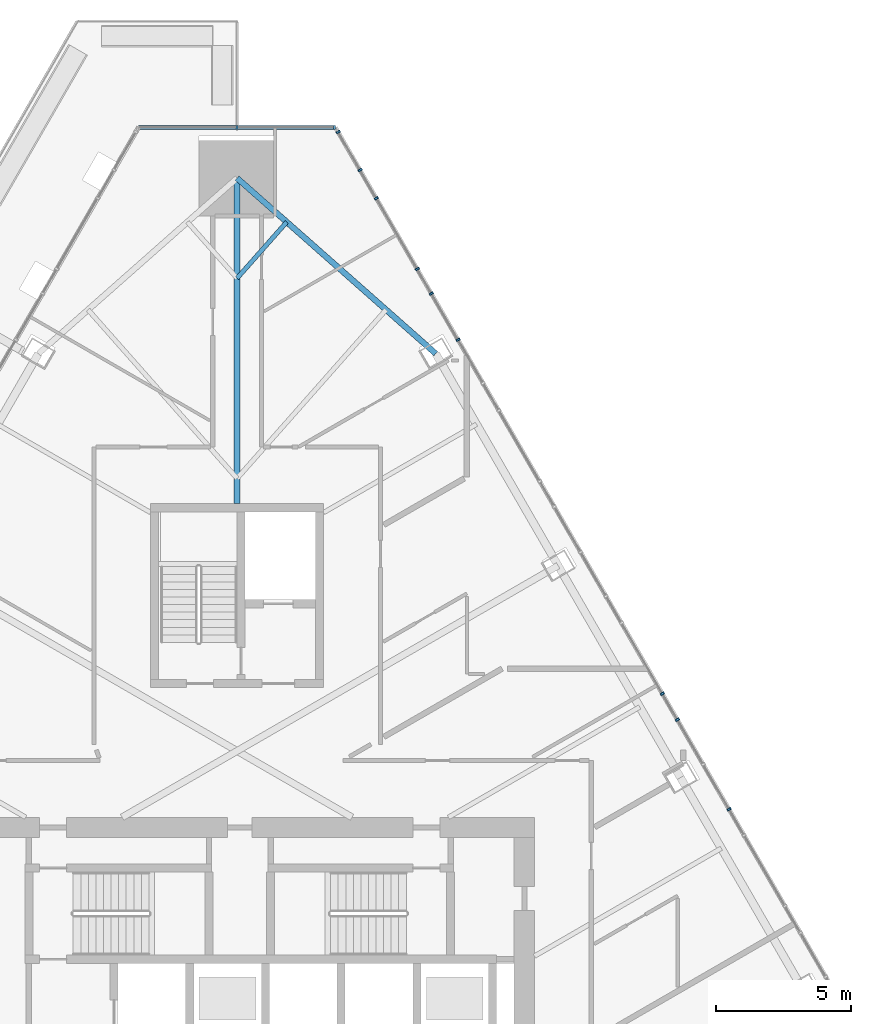
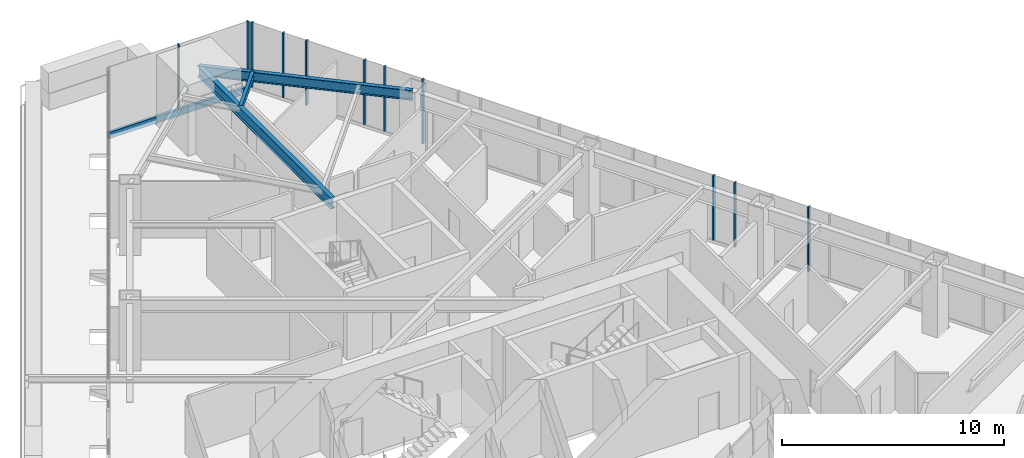
# One storey, part 13 of 35: 12 members, 3 beams, 2 elements without a shape of their own.
"""IFC4 building model written with IfcOpenShell, lengths in metres."""

from ifc_helpers import new_model, si_unit, direction, frame, origin, origin_2d, place, context, subcontext, project, spatial, rectangle, i_section, extrude, material, layer, layer_set, material_profile, profile_set, type_object, element, aggregate, save


model = new_model("IFC4")

# Units and contexts
model_context = context("Model", 3, precision=1e-05, world=origin(), true_north=direction((0.0, 1.0)))
body_context = subcontext(model_context, "Body", "Model", "MODEL_VIEW")
ifc_project = project(units=[si_unit("LENGTHUNIT", "METRE"), si_unit("AREAUNIT", "SQUARE_METRE"), si_unit("VOLUMEUNIT", "CUBIC_METRE"), si_unit("PLANEANGLEUNIT", "RADIAN"), si_unit("MASSUNIT", "GRAM", prefix="KILO")], contexts=[model_context])

# Site, building, storey
site_placement = place(None, origin())
site = spatial("IfcSite", under=ifc_project, at=site_placement, CompositionType="ELEMENT")
building_placement = place(site_placement, origin())
building = spatial("IfcBuilding", under=site, at=building_placement, Name="Firuza Gate Tower and Library", CompositionType="ELEMENT")
storey_placement = place(building_placement, frame((0.0, 0.0, 159.699951171875)))
storey = spatial("IfcBuildingStorey", under=building, at=storey_placement, Name="L36", CompositionType="ELEMENT", Elevation=159.699951171875)

# Curtain wall, members
ifc_material_1 = material(Name="Aluminium 6063-T6", Category="aluminium")
ifc_layer_1 = layer(ifc_material_1, 0.14990234375)
ifc_layer_set_1 = layer_set([ifc_layer_1], Name="Unitised curtain wall, hotel")
curtain_wall_type_1 = type_object("IfcCurtainWallType", Name="Unitised curtain wall, hotel", PredefinedType="NOTDEFINED", material=ifc_layer_set_1)
placement = place(storey_placement, origin())
curtain_wall_1 = element("IfcCurtainWall", 1, at=placement, inside=storey, type_object=curtain_wall_type_1, Name="CW2 L36 E face", PredefinedType="NOTDEFINED")
ifc_material_2 = material(Name="Aluminium 6063-T6", Category="aluminium")
ifc_material_profile_1 = material_profile(ifc_material_2, rectangle(XDim=0.14990234375, YDim=0.080078125, at=origin_2d()))
ifc_profile_set_1 = profile_set([ifc_material_profile_1], Name="Aluminium 6063-T6")
member_type_1 = type_object("IfcMemberType", Name="Curtain wall mullion 80x150", PredefinedType="MULLION", material=ifc_profile_set_1)
member_1_placement = place(storey_placement, frame((90.734619140625, 87.57470703125, 0.150146484375), z_axis=(0.0, 0.0, 1.0), x_axis=(-0.866025403784, -0.5, 0.0)))
member_1 = element("IfcMember", 2, at=member_1_placement, type_object=member_type_1, Name="Mullion", PredefinedType="MULLION", context=body_context, shape_type="SweptSolid", body=[
    extrude(rectangle(XDim=0.14990234375, YDim=0.080078125, at=origin_2d()), origin(), (0.0, 0.0, 1.0), 3.5498046875),
])
member_2_placement = place(storey_placement, frame((83.177490234375, 100.663818359375, 0.150146484375), z_axis=(0.0, 0.0, 1.0), x_axis=(-0.866025403784, -0.5, 0.0)))
member_2 = element("IfcMember", 3, at=member_2_placement, type_object=member_type_1, Name="Mullion", PredefinedType="MULLION", context=body_context, shape_type="SweptSolid", body=[
    extrude(rectangle(XDim=0.14990234375, YDim=0.080078125, at=origin_2d()), origin(), (0.0, 0.0, 1.0), 3.5498046875),
])
member_3_placement = place(storey_placement, frame((81.666015625, 103.28173828125, 0.150146484375), z_axis=(0.0, 0.0, 1.0), x_axis=(-0.866025403784, -0.5, 0.0)))
member_3 = element("IfcMember", 4, at=member_3_placement, type_object=member_type_1, Name="Mullion", PredefinedType="MULLION", context=body_context, shape_type="SweptSolid", body=[
    extrude(rectangle(XDim=0.14990234375, YDim=0.080078125, at=origin_2d()), origin(), (0.0, 0.0, 1.0), 3.5498046875),
])
member_4_placement = place(storey_placement, frame((80.15478515625, 105.8994140625, 0.150146484375), z_axis=(0.0, 0.0, 1.0), x_axis=(-0.866025403784, -0.5, 0.0)))
member_4 = element("IfcMember", 5, at=member_4_placement, type_object=member_type_1, Name="Mullion", PredefinedType="MULLION", context=body_context, shape_type="SweptSolid", body=[
    extrude(rectangle(XDim=0.14990234375, YDim=0.080078125, at=origin_2d()), origin(), (0.0, 0.0, 1.0), 3.5498046875),
])
member_5_placement = place(storey_placement, frame((93.2021484375, 83.30078125, 0.150146484375), z_axis=(0.0, 0.0, 1.0), x_axis=(-0.866025403784, -0.5, 0.0)))
member_5 = element("IfcMember", 6, at=member_5_placement, type_object=member_type_1, Name="Mullion", PredefinedType="MULLION", context=body_context, shape_type="SweptSolid", body=[
    extrude(rectangle(XDim=0.14990234375, YDim=0.080078125, at=origin_2d()), origin(), (0.0, 0.0, 1.0), 3.5498046875),
])
member_6_placement = place(storey_placement, frame((91.289794921875, 86.613037109375, 0.150146484375), z_axis=(0.0, 0.0, 1.0), x_axis=(-0.866025403784, -0.5, 0.0)))
member_6 = element("IfcMember", 7, at=member_6_placement, type_object=member_type_1, Name="Mullion", PredefinedType="MULLION", context=body_context, shape_type="SweptSolid", body=[
    extrude(rectangle(XDim=0.14990234375, YDim=0.080078125, at=origin_2d()), origin(), (0.0, 0.0, 1.0), 3.5498046875),
])
member_7_placement = place(storey_placement, frame((82.189697265625, 102.374755859375, 0.150146484375), z_axis=(0.0, 0.0, 1.0), x_axis=(-0.866025403784, -0.5, 0.0)))
member_7 = element("IfcMember", 8, at=member_7_placement, type_object=member_type_1, Name="Mullion", PredefinedType="MULLION", context=body_context, shape_type="SweptSolid", body=[
    extrude(rectangle(XDim=0.14990234375, YDim=0.080078125, at=origin_2d()), origin(), (0.0, 0.0, 1.0), 3.5498046875),
])
member_8_placement = place(storey_placement, frame((79.552001953125, 106.943359375, 0.150146484375), z_axis=(0.0, 0.0, 1.0), x_axis=(-0.866025403784, -0.5, 0.0)))
member_8 = element("IfcMember", 9, at=member_8_placement, type_object=member_type_1, Name="Mullion", PredefinedType="MULLION", context=body_context, shape_type="SweptSolid", body=[
    extrude(rectangle(XDim=0.14990234375, YDim=0.080078125, at=origin_2d()), origin(), (0.0, 0.0, 1.0), 3.5498046875),
])
member_9_placement = place(storey_placement, frame((78.73974609375, 108.35009765625, 0.150146484375), z_axis=(0.0, 0.0, 1.0), x_axis=(-0.866025403784, -0.5, 0.0)))
member_9 = element("IfcMember", 10, at=member_9_placement, type_object=member_type_1, Name="Mullion", PredefinedType="MULLION", context=body_context, shape_type="SweptSolid", body=[
    extrude(rectangle(XDim=0.14990234375, YDim=0.080078125, at=origin_2d()), origin(), (0.0, 0.0, 1.0), 3.5498046875),
])
aggregate(curtain_wall_1, [member_1, member_2, member_3, member_4, member_5, member_6, member_7, member_8, member_9])

ifc_material_3 = material(Name="Aluminium 6063-T6", Category="aluminium")
ifc_layer_2 = layer(ifc_material_3, 0.14990234375)
ifc_layer_set_2 = layer_set([ifc_layer_2], Name="Corner curtain wall, chamfers")
curtain_wall_type_2 = type_object("IfcCurtainWallType", Name="Corner curtain wall, chamfers", PredefinedType="NOTDEFINED", material=ifc_layer_set_2)
curtain_wall_2 = element("IfcCurtainWall", 11, at=placement, inside=storey, type_object=curtain_wall_type_2, Name="CW4 L36 N corner", PredefinedType="NOTDEFINED")
member_10_placement = place(storey_placement, frame((78.603271484375, 108.517333984375, 0.150146484375), z_axis=(0.0, 0.0, 1.0), x_axis=(0.0, -1.0, 0.0)))
member_10 = element("IfcMember", 12, at=member_10_placement, type_object=member_type_1, Name="Mullion", PredefinedType="MULLION", context=body_context, shape_type="SweptSolid", body=[
    extrude(rectangle(XDim=0.14990234375, YDim=0.080078125, at=origin_2d()), origin(), (0.0, 0.0, 1.0), 3.5498046875),
])
member_11_placement = place(storey_placement, frame((75.0, 108.517333984375, 0.150146484375), z_axis=(0.0, 0.0, 1.0), x_axis=(0.0, -1.0, 0.0)))
member_11 = element("IfcMember", 13, at=member_11_placement, type_object=member_type_1, Name="Mullion", PredefinedType="MULLION", context=body_context, shape_type="SweptSolid", body=[
    extrude(rectangle(XDim=0.14990234375, YDim=0.080078125, at=origin_2d()), origin(), (0.0, 0.0, 1.0), 3.5498046875),
])
ifc_material_4 = material(Name="Aluminium 6063-T6", Category="aluminium")
ifc_material_profile_2 = material_profile(ifc_material_4, rectangle(XDim=0.14990234375, YDim=0.35009765625, at=origin_2d()))
ifc_profile_set_2 = profile_set([ifc_material_profile_2], Name="Aluminium 6063-T6")
member_type_2 = type_object("IfcMemberType", Name="Curtain wall transom 350x150", PredefinedType="USERDEFINED", material=ifc_profile_set_2)
member_12_placement = place(storey_placement, frame((78.643310546875, 108.517333984375, -0.02490234375), z_axis=(-1.0, 0.0, 0.0), x_axis=(0.0, -1.0, 0.0)))
member_12 = element("IfcMember", 14, at=member_12_placement, type_object=member_type_2, Name="Transom", ObjectType="TRANSOM", PredefinedType="USERDEFINED", context=body_context, shape_type="SweptSolid", body=[
    extrude(rectangle(XDim=0.14990234375, YDim=0.35009765625, at=origin_2d()), origin(), (0.0, 0.0, 1.0), 7.28662109375),
])
aggregate(curtain_wall_2, [member_10, member_11, member_12])

# Beams
ifc_material_5 = material(Name="Steel S355", Category="steel")
ifc_material_profile_3 = material_profile(ifc_material_5, i_section(OverallWidth=0.1650390625, OverallDepth=0.31005859375, WebThickness=0.005859375, FlangeThickness=0.009765625, at=origin_2d()))
ifc_profile_set_3 = profile_set([ifc_material_profile_3], Name="Steel S355")
beam_type_1 = type_object("IfcBeamType", Name="W310x39 Floor beam", PredefinedType="JOIST", material=ifc_profile_set_3)
beam_1_placement = place(storey_placement, frame((76.8369140625, 105.01953125, 3.545166015625), z_axis=(-0.662110460261, -0.749406257255, 0.0), x_axis=(0.749406257255, -0.662110460261, 0.0)))
element("IfcBeam", 15, at=beam_1_placement, inside=storey, type_object=beam_type_1, Name="Floor beam L36 s61", PredefinedType="JOIST", context=body_context, shape_type="SweptSolid", body=[
    extrude(i_section(OverallWidth=0.1650390625, OverallDepth=0.31005859375, WebThickness=0.005859375, FlangeThickness=0.009765625, at=origin_2d()), origin(), (0.0, 0.0, 1.0), 2.7744140625),
])
ifc_material_6 = material(Name="Steel S355", Category="steel")
ifc_material_profile_4 = material_profile(ifc_material_6, i_section(OverallWidth=0.212890625, OverallDepth=0.5390625, WebThickness=0.01171875, FlangeThickness=0.018798828125, at=origin_2d()))
ifc_profile_set_4 = profile_set([ifc_material_profile_4], Name="Steel S355")
beam_type_2 = type_object("IfcBeamType", Name="W530x109 Edge beam", PredefinedType="SPANDREL", material=ifc_profile_set_4)
beam_2_placement = place(storey_placement, frame((82.34765625, 100.1513671875, 3.4306640625), z_axis=(-0.749446028543, 0.662065442612, 0.0), x_axis=(-0.662065442612, -0.749446028543, 0.0)))
element("IfcBeam", 16, at=beam_2_placement, inside=storey, type_object=beam_type_2, Name="Edge beam L36 e60", PredefinedType="SPANDREL", context=body_context, shape_type="SweptSolid", body=[
    extrude(i_section(OverallWidth=0.212890625, OverallDepth=0.5390625, WebThickness=0.01171875, FlangeThickness=0.018798828125, at=origin_2d()), origin(), (0.0, 0.0, 1.0), 9.80419921875),
])
ifc_material_7 = material(Name="Steel S355", Category="steel")
ifc_material_profile_5 = material_profile(ifc_material_7, i_section(OverallWidth=0.22802734375, OverallDepth=0.60302734375, WebThickness=0.010498046875, FlangeThickness=0.014892578125, at=origin_2d()))
ifc_profile_set_5 = profile_set([ifc_material_profile_5], Name="Steel S355")
beam_type_3 = type_object("IfcBeamType", Name="W610x101 Girder", PredefinedType="BEAM", material=ifc_profile_set_5)
beam_3_placement = place(storey_placement, frame((75.0, 106.642333984375, 3.3984375), z_axis=(0.0, -1.0, 0.0), x_axis=(1.0, 0.0, 0.0)))
element("IfcBeam", 17, at=beam_3_placement, inside=storey, type_object=beam_type_3, Name="Girder L36 gN", PredefinedType="BEAM", context=body_context, shape_type="SweptSolid", body=[
    extrude(i_section(OverallWidth=0.22802734375, OverallDepth=0.60302734375, WebThickness=0.010498046875, FlangeThickness=0.014892578125, at=origin_2d()), origin(), (0.0, 0.0, 1.0), 12.042236328125),
])

save(model, "model.ifc")
